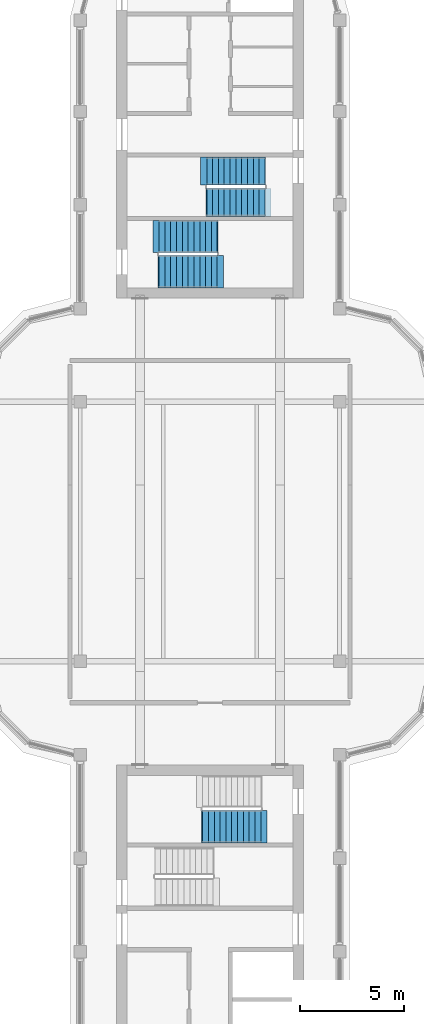
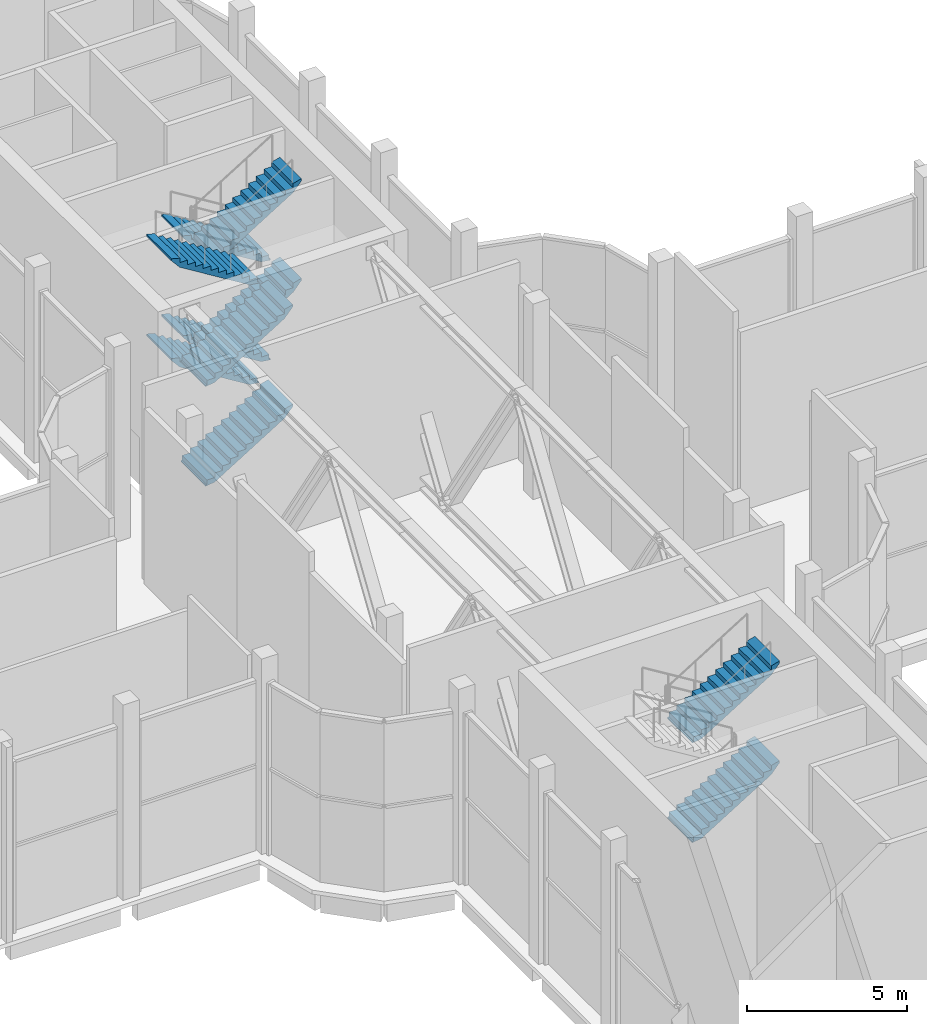
# One storey, part 13 of 15: 10 stair flights, 3 elements without a shape of their own.
"""IFC4 building model written with IfcOpenShell, lengths in metres."""

from ifc_helpers import new_model, si_unit, direction, frame, origin, place, context, subcontext, project, spatial, polyline, outline, extrude, material, type_object, element, aggregate, save


model = new_model("IFC4")

# Units and contexts
model_context = context("Model", 3, precision=1e-05, world=origin(), true_north=direction((0.0, 1.0)))
body_context = subcontext(model_context, "Body", "Model", "MODEL_VIEW")
ifc_project = project(units=[si_unit("LENGTHUNIT", "METRE"), si_unit("AREAUNIT", "SQUARE_METRE"), si_unit("VOLUMEUNIT", "CUBIC_METRE"), si_unit("PLANEANGLEUNIT", "RADIAN"), si_unit("MASSUNIT", "GRAM", prefix="KILO")], contexts=[model_context])

# Site, building, storey
site_placement = place(None, origin())
site = spatial("IfcSite", under=ifc_project, at=site_placement, CompositionType="ELEMENT")
building_placement = place(site_placement, origin())
building = spatial("IfcBuilding", under=site, at=building_placement, Name="Zarbagh Exchange Tower", CompositionType="ELEMENT")
storey_placement = place(building_placement, frame((0.0, 0.0, 284.0)))
storey = spatial("IfcBuildingStorey", under=building, at=storey_placement, Name="L70", CompositionType="ELEMENT", Elevation=284.0)

# Stair, stair flights
ifc_material = material(Name="Concrete C40/50", Category="concrete")
stair_type = type_object("IfcStairType", Name="Exit stair two-flight half-turn", PredefinedType="HALF_TURN_STAIR", material=ifc_material)
stair_1_placement = place(storey_placement, origin())
stair_1 = element("IfcStair", 1, at=stair_1_placement, inside=storey, type_object=stair_type, Name="exit stair ST1", PredefinedType="HALF_TURN_STAIR")
stair_flight_type_1 = type_object("IfcStairFlightType", Name="Stair flight 1350 mm", PredefinedType="STRAIGHT", material=ifc_material)
stair_flight_1_placement = place(storey_placement, frame((2.64990234375, 17.375, 0.0), z_axis=(0.0, 0.0, 1.0), x_axis=(-1.0, 0.0, 0.0)))
stair_flight_1 = element("IfcStairFlight", 2, at=stair_flight_1_placement, type_object=stair_flight_type_1, Name="ST1 flight 1", NumberOfRisers=11, NumberOfTreads=10, PredefinedType="STRAIGHT", RiserHeight=0.172727273, TreadLength=0.28, context=body_context, shape_type="SweptSolid", body=[
    extrude(outline(polyline([(-0.050048828125, -0.050048828125), (-0.050048828125, 0.0), (0.0, 0.0), (0.0, 0.172607421875), (0.280029296875, 0.172607421875), (0.280029296875, 0.345458984375), (0.56005859375, 0.345458984375), (0.56005859375, 0.51806640625), (0.840087890625, 0.51806640625), (0.840087890625, 0.69091796875), (1.1201171875, 0.69091796875), (1.1201171875, 0.863525390625), (1.39990234375, 0.863525390625), (1.39990234375, 1.036376953125), (1.679931640625, 1.036376953125), (1.679931640625, 1.208984375), (1.9599609375, 1.208984375), (1.9599609375, 1.3818359375), (2.239990234375, 1.3818359375), (2.239990234375, 1.554443359375), (2.52001953125, 1.554443359375), (2.52001953125, 1.727294921875), (2.800048828125, 1.727294921875), (2.800048828125, 1.89990234375), (3.10009765625, 1.97998046875), (3.10009765625, 1.89990234375), (2.800048828125, 1.551025390625), (0.285400390625, 0.0), (-0.050048828125, -0.050048828125)])), frame((0.0, 0.675048828125, 0.0), z_axis=(0.0, -1.0, 0.0), x_axis=(1.0, 0.0, 0.0)), (0.0, 0.0, 1.0), 1.35009765625),
])
stair_flight_2_placement = place(storey_placement, frame((-0.14990234375, 15.875, 1.89990234375), z_axis=(0.0, 0.0, 1.0), x_axis=(1.0, 0.0, 0.0)))
stair_flight_2 = element("IfcStairFlight", 3, at=stair_flight_2_placement, type_object=stair_flight_type_1, Name="ST1 flight 2", NumberOfRisers=11, NumberOfTreads=10, PredefinedType="STRAIGHT", RiserHeight=0.172727273, TreadLength=0.28, context=body_context, shape_type="SweptSolid", body=[
    extrude(outline(polyline([(-0.050048828125, -0.050048828125), (-0.050048828125, 0.0), (0.0, 0.0), (0.0, 0.172607421875), (0.280029296875, 0.172607421875), (0.280029296875, 0.345458984375), (0.56005859375, 0.345458984375), (0.56005859375, 0.51806640625), (0.840087890625, 0.51806640625), (0.840087890625, 0.69091796875), (1.1201171875, 0.69091796875), (1.1201171875, 0.863525390625), (1.39990234375, 0.863525390625), (1.39990234375, 1.036376953125), (1.679931640625, 1.036376953125), (1.679931640625, 1.208984375), (1.9599609375, 1.208984375), (1.9599609375, 1.3818359375), (2.239990234375, 1.3818359375), (2.239990234375, 1.554443359375), (2.52001953125, 1.554443359375), (2.52001953125, 1.727294921875), (2.800048828125, 1.727294921875), (2.800048828125, 1.89990234375), (3.10009765625, 1.97998046875), (3.10009765625, 1.89990234375), (2.800048828125, 1.551025390625), (0.285400390625, 0.0), (-0.050048828125, -0.050048828125)])), frame((0.0, 0.675048828125, 0.0), z_axis=(0.0, -1.0, 0.0), x_axis=(1.0, 0.0, 0.0)), (0.0, 0.0, 1.0), 1.35009765625),
])
stair_flight_3_placement = place(storey_placement, frame((2.64990234375, 17.375, 3.800048828125), z_axis=(0.0, 0.0, 1.0), x_axis=(-1.0, 0.0, 0.0)))
stair_flight_3 = element("IfcStairFlight", 4, at=stair_flight_3_placement, type_object=stair_flight_type_1, Name="ST1 flight 3", NumberOfRisers=11, NumberOfTreads=10, PredefinedType="STRAIGHT", RiserHeight=0.172727273, TreadLength=0.28, context=body_context, shape_type="SweptSolid", body=[
    extrude(outline(polyline([(-0.050048828125, -0.050048828125), (-0.050048828125, 0.0), (0.0, 0.0), (0.0, 0.172607421875), (0.280029296875, 0.172607421875), (0.280029296875, 0.345458984375), (0.56005859375, 0.345458984375), (0.56005859375, 0.51806640625), (0.840087890625, 0.51806640625), (0.840087890625, 0.69091796875), (1.1201171875, 0.69091796875), (1.1201171875, 0.863525390625), (1.39990234375, 0.863525390625), (1.39990234375, 1.036376953125), (1.679931640625, 1.036376953125), (1.679931640625, 1.208984375), (1.9599609375, 1.208984375), (1.9599609375, 1.3818359375), (2.239990234375, 1.3818359375), (2.239990234375, 1.554443359375), (2.52001953125, 1.554443359375), (2.52001953125, 1.727294921875), (2.800048828125, 1.727294921875), (2.800048828125, 1.89990234375), (3.10009765625, 1.97998046875), (3.10009765625, 1.89990234375), (2.800048828125, 1.551025390625), (0.285400390625, 0.0), (-0.050048828125, -0.050048828125)])), frame((0.0, 0.675048828125, 0.0), z_axis=(0.0, -1.0, 0.0), x_axis=(1.0, 0.0, 0.0)), (0.0, 0.0, 1.0), 1.35009765625),
])
stair_flight_4_placement = place(storey_placement, frame((-0.14990234375, 15.875, 5.699951171875), z_axis=(0.0, 0.0, 1.0), x_axis=(1.0, 0.0, 0.0)))
stair_flight_4 = element("IfcStairFlight", 5, at=stair_flight_4_placement, type_object=stair_flight_type_1, Name="ST1 flight 4", NumberOfRisers=11, NumberOfTreads=10, PredefinedType="STRAIGHT", RiserHeight=0.172727273, TreadLength=0.28, context=body_context, shape_type="SweptSolid", body=[
    extrude(outline(polyline([(-0.050048828125, -0.050048828125), (-0.050048828125, 0.0), (0.0, 0.0), (0.0, 0.172607421875), (0.280029296875, 0.172607421875), (0.280029296875, 0.345458984375), (0.56005859375, 0.345458984375), (0.56005859375, 0.51806640625), (0.840087890625, 0.51806640625), (0.840087890625, 0.69091796875), (1.1201171875, 0.69091796875), (1.1201171875, 0.863525390625), (1.39990234375, 0.863525390625), (1.39990234375, 1.036376953125), (1.679931640625, 1.036376953125), (1.679931640625, 1.208984375), (1.9599609375, 1.208984375), (1.9599609375, 1.3818359375), (2.239990234375, 1.3818359375), (2.239990234375, 1.554443359375), (2.52001953125, 1.554443359375), (2.52001953125, 1.727294921875), (2.800048828125, 1.727294921875), (2.800048828125, 1.89990234375), (3.10009765625, 1.97998046875), (3.10009765625, 1.89990234375), (2.800048828125, 1.551025390625), (0.285400390625, 0.0), (-0.050048828125, -0.050048828125)])), frame((0.0, 0.675048828125, 0.0), z_axis=(0.0, -1.0, 0.0), x_axis=(1.0, 0.0, 0.0)), (0.0, 0.0, 1.0), 1.35009765625),
])
aggregate(stair_1, [stair_flight_1, stair_flight_2, stair_flight_3, stair_flight_4])

stair_2_placement = place(storey_placement, origin())
stair_2 = element("IfcStair", 6, at=stair_2_placement, inside=storey, type_object=stair_type, Name="exit stair ST2", PredefinedType="HALF_TURN_STAIR")
stair_flight_type_2 = type_object("IfcStairFlightType", Name="Stair flight 1550 mm", PredefinedType="STRAIGHT", material=ifc_material)
stair_flight_5_placement = place(storey_placement, frame((-2.449951171875, 12.52490234375, 0.0), z_axis=(0.0, 0.0, 1.0), x_axis=(1.0, 0.0, 0.0)))
stair_flight_5 = element("IfcStairFlight", 7, at=stair_flight_5_placement, type_object=stair_flight_type_2, Name="ST2 flight 1", NumberOfRisers=11, NumberOfTreads=10, PredefinedType="STRAIGHT", RiserHeight=0.172727273, TreadLength=0.28, context=body_context, shape_type="SweptSolid", body=[
    extrude(outline(polyline([(-0.050048828125, -0.050048828125), (-0.050048828125, 0.0), (0.0, 0.0), (0.0, 0.172607421875), (0.280029296875, 0.172607421875), (0.280029296875, 0.345458984375), (0.56005859375, 0.345458984375), (0.56005859375, 0.51806640625), (0.840087890625, 0.51806640625), (0.840087890625, 0.69091796875), (1.1201171875, 0.69091796875), (1.1201171875, 0.863525390625), (1.39990234375, 0.863525390625), (1.39990234375, 1.036376953125), (1.679931640625, 1.036376953125), (1.679931640625, 1.208984375), (1.9599609375, 1.208984375), (1.9599609375, 1.3818359375), (2.239990234375, 1.3818359375), (2.239990234375, 1.554443359375), (2.52001953125, 1.554443359375), (2.52001953125, 1.727294921875), (2.800048828125, 1.727294921875), (2.800048828125, 1.89990234375), (3.10009765625, 1.97998046875), (3.10009765625, 1.89990234375), (2.800048828125, 1.551025390625), (0.285400390625, 0.0), (-0.050048828125, -0.050048828125)])), frame((0.0, 0.77490234375, 0.0), z_axis=(0.0, -1.0, 0.0), x_axis=(1.0, 0.0, 0.0)), (0.0, 0.0, 1.0), 1.550048828125),
])
stair_flight_6_placement = place(storey_placement, frame((0.35009765625, 14.22509765625, 1.89990234375), z_axis=(0.0, 0.0, 1.0), x_axis=(-1.0, 0.0, 0.0)))
stair_flight_6 = element("IfcStairFlight", 8, at=stair_flight_6_placement, type_object=stair_flight_type_2, Name="ST2 flight 2", NumberOfRisers=11, NumberOfTreads=10, PredefinedType="STRAIGHT", RiserHeight=0.172727273, TreadLength=0.28, context=body_context, shape_type="SweptSolid", body=[
    extrude(outline(polyline([(-0.050048828125, -0.050048828125), (-0.050048828125, 0.0), (0.0, 0.0), (0.0, 0.172607421875), (0.280029296875, 0.172607421875), (0.280029296875, 0.345458984375), (0.56005859375, 0.345458984375), (0.56005859375, 0.51806640625), (0.840087890625, 0.51806640625), (0.840087890625, 0.69091796875), (1.1201171875, 0.69091796875), (1.1201171875, 0.863525390625), (1.39990234375, 0.863525390625), (1.39990234375, 1.036376953125), (1.679931640625, 1.036376953125), (1.679931640625, 1.208984375), (1.9599609375, 1.208984375), (1.9599609375, 1.3818359375), (2.239990234375, 1.3818359375), (2.239990234375, 1.554443359375), (2.52001953125, 1.554443359375), (2.52001953125, 1.727294921875), (2.800048828125, 1.727294921875), (2.800048828125, 1.89990234375), (3.10009765625, 1.97998046875), (3.10009765625, 1.89990234375), (2.800048828125, 1.551025390625), (0.285400390625, 0.0), (-0.050048828125, -0.050048828125)])), frame((0.0, 0.77490234375, 0.0), z_axis=(0.0, -1.0, 0.0), x_axis=(1.0, 0.0, 0.0)), (0.0, 0.0, 1.0), 1.550048828125),
])
stair_flight_7_placement = place(storey_placement, frame((-2.449951171875, 12.52490234375, 3.800048828125), z_axis=(0.0, 0.0, 1.0), x_axis=(1.0, 0.0, 0.0)))
stair_flight_7 = element("IfcStairFlight", 9, at=stair_flight_7_placement, type_object=stair_flight_type_2, Name="ST2 flight 3", NumberOfRisers=11, NumberOfTreads=10, PredefinedType="STRAIGHT", RiserHeight=0.172727273, TreadLength=0.28, context=body_context, shape_type="SweptSolid", body=[
    extrude(outline(polyline([(-0.050048828125, -0.050048828125), (-0.050048828125, 0.0), (0.0, 0.0), (0.0, 0.172607421875), (0.280029296875, 0.172607421875), (0.280029296875, 0.345458984375), (0.56005859375, 0.345458984375), (0.56005859375, 0.51806640625), (0.840087890625, 0.51806640625), (0.840087890625, 0.69091796875), (1.1201171875, 0.69091796875), (1.1201171875, 0.863525390625), (1.39990234375, 0.863525390625), (1.39990234375, 1.036376953125), (1.679931640625, 1.036376953125), (1.679931640625, 1.208984375), (1.9599609375, 1.208984375), (1.9599609375, 1.3818359375), (2.239990234375, 1.3818359375), (2.239990234375, 1.554443359375), (2.52001953125, 1.554443359375), (2.52001953125, 1.727294921875), (2.800048828125, 1.727294921875), (2.800048828125, 1.89990234375), (3.10009765625, 1.97998046875), (3.10009765625, 1.89990234375), (2.800048828125, 1.551025390625), (0.285400390625, 0.0), (-0.050048828125, -0.050048828125)])), frame((0.0, 0.77490234375, 0.0), z_axis=(0.0, -1.0, 0.0), x_axis=(1.0, 0.0, 0.0)), (0.0, 0.0, 1.0), 1.550048828125),
])
stair_flight_8_placement = place(storey_placement, frame((0.35009765625, 14.22509765625, 5.699951171875), z_axis=(0.0, 0.0, 1.0), x_axis=(-1.0, 0.0, 0.0)))
stair_flight_8 = element("IfcStairFlight", 10, at=stair_flight_8_placement, type_object=stair_flight_type_2, Name="ST2 flight 4", NumberOfRisers=11, NumberOfTreads=10, PredefinedType="STRAIGHT", RiserHeight=0.172727273, TreadLength=0.28, context=body_context, shape_type="SweptSolid", body=[
    extrude(outline(polyline([(-0.050048828125, -0.050048828125), (-0.050048828125, 0.0), (0.0, 0.0), (0.0, 0.172607421875), (0.280029296875, 0.172607421875), (0.280029296875, 0.345458984375), (0.56005859375, 0.345458984375), (0.56005859375, 0.51806640625), (0.840087890625, 0.51806640625), (0.840087890625, 0.69091796875), (1.1201171875, 0.69091796875), (1.1201171875, 0.863525390625), (1.39990234375, 0.863525390625), (1.39990234375, 1.036376953125), (1.679931640625, 1.036376953125), (1.679931640625, 1.208984375), (1.9599609375, 1.208984375), (1.9599609375, 1.3818359375), (2.239990234375, 1.3818359375), (2.239990234375, 1.554443359375), (2.52001953125, 1.554443359375), (2.52001953125, 1.727294921875), (2.800048828125, 1.727294921875), (2.800048828125, 1.89990234375), (3.10009765625, 1.97998046875), (3.10009765625, 1.89990234375), (2.800048828125, 1.551025390625), (0.285400390625, 0.0), (-0.050048828125, -0.050048828125)])), frame((0.0, 0.77490234375, 0.0), z_axis=(0.0, -1.0, 0.0), x_axis=(1.0, 0.0, 0.0)), (0.0, 0.0, 1.0), 1.550048828125),
])
aggregate(stair_2, [stair_flight_5, stair_flight_6, stair_flight_7, stair_flight_8])

stair_3_placement = place(storey_placement, origin())
stair_3 = element("IfcStair", 11, at=stair_3_placement, inside=storey, type_object=stair_type, Name="exit stair ST4", PredefinedType="HALF_TURN_STAIR")
stair_flight_9_placement = place(storey_placement, frame((-0.35009765625, -14.22509765625, 1.89990234375), z_axis=(0.0, 0.0, 1.0), x_axis=(1.0, 0.0, 0.0)))
stair_flight_9 = element("IfcStairFlight", 12, at=stair_flight_9_placement, type_object=stair_flight_type_2, Name="ST4 flight 2", NumberOfRisers=11, NumberOfTreads=10, PredefinedType="STRAIGHT", RiserHeight=0.172727273, TreadLength=0.28, context=body_context, shape_type="SweptSolid", body=[
    extrude(outline(polyline([(-0.050048828125, -0.050048828125), (-0.050048828125, 0.0), (0.0, 0.0), (0.0, 0.172607421875), (0.280029296875, 0.172607421875), (0.280029296875, 0.345458984375), (0.56005859375, 0.345458984375), (0.56005859375, 0.51806640625), (0.840087890625, 0.51806640625), (0.840087890625, 0.69091796875), (1.1201171875, 0.69091796875), (1.1201171875, 0.863525390625), (1.39990234375, 0.863525390625), (1.39990234375, 1.036376953125), (1.679931640625, 1.036376953125), (1.679931640625, 1.208984375), (1.9599609375, 1.208984375), (1.9599609375, 1.3818359375), (2.239990234375, 1.3818359375), (2.239990234375, 1.554443359375), (2.52001953125, 1.554443359375), (2.52001953125, 1.727294921875), (2.800048828125, 1.727294921875), (2.800048828125, 1.89990234375), (3.10009765625, 1.97998046875), (3.10009765625, 1.89990234375), (2.800048828125, 1.551025390625), (0.285400390625, 0.0), (-0.050048828125, -0.050048828125)])), frame((0.0, 0.77490234375, 0.0), z_axis=(0.0, -1.0, 0.0), x_axis=(1.0, 0.0, 0.0)), (0.0, 0.0, 1.0), 1.550048828125),
])
stair_flight_10_placement = place(storey_placement, frame((-0.35009765625, -14.22509765625, 5.699951171875), z_axis=(0.0, 0.0, 1.0), x_axis=(1.0, 0.0, 0.0)))
stair_flight_10 = element("IfcStairFlight", 13, at=stair_flight_10_placement, type_object=stair_flight_type_2, Name="ST4 flight 4", NumberOfRisers=11, NumberOfTreads=10, PredefinedType="STRAIGHT", RiserHeight=0.172727273, TreadLength=0.28, context=body_context, shape_type="SweptSolid", body=[
    extrude(outline(polyline([(-0.050048828125, -0.050048828125), (-0.050048828125, 0.0), (0.0, 0.0), (0.0, 0.172607421875), (0.280029296875, 0.172607421875), (0.280029296875, 0.345458984375), (0.56005859375, 0.345458984375), (0.56005859375, 0.51806640625), (0.840087890625, 0.51806640625), (0.840087890625, 0.69091796875), (1.1201171875, 0.69091796875), (1.1201171875, 0.863525390625), (1.39990234375, 0.863525390625), (1.39990234375, 1.036376953125), (1.679931640625, 1.036376953125), (1.679931640625, 1.208984375), (1.9599609375, 1.208984375), (1.9599609375, 1.3818359375), (2.239990234375, 1.3818359375), (2.239990234375, 1.554443359375), (2.52001953125, 1.554443359375), (2.52001953125, 1.727294921875), (2.800048828125, 1.727294921875), (2.800048828125, 1.89990234375), (3.10009765625, 1.97998046875), (3.10009765625, 1.89990234375), (2.800048828125, 1.551025390625), (0.285400390625, 0.0), (-0.050048828125, -0.050048828125)])), frame((0.0, 0.77490234375, 0.0), z_axis=(0.0, -1.0, 0.0), x_axis=(1.0, 0.0, 0.0)), (0.0, 0.0, 1.0), 1.550048828125),
])
aggregate(stair_3, [stair_flight_9, stair_flight_10])

save(model, "model.ifc")
